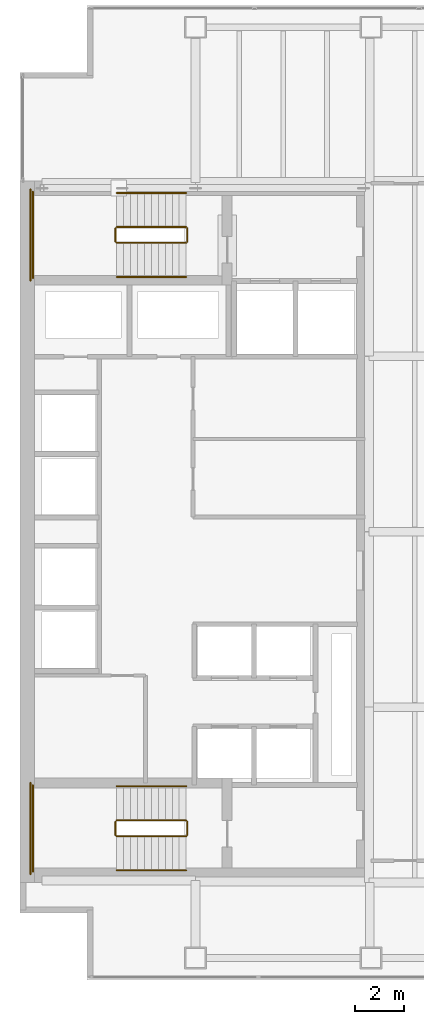
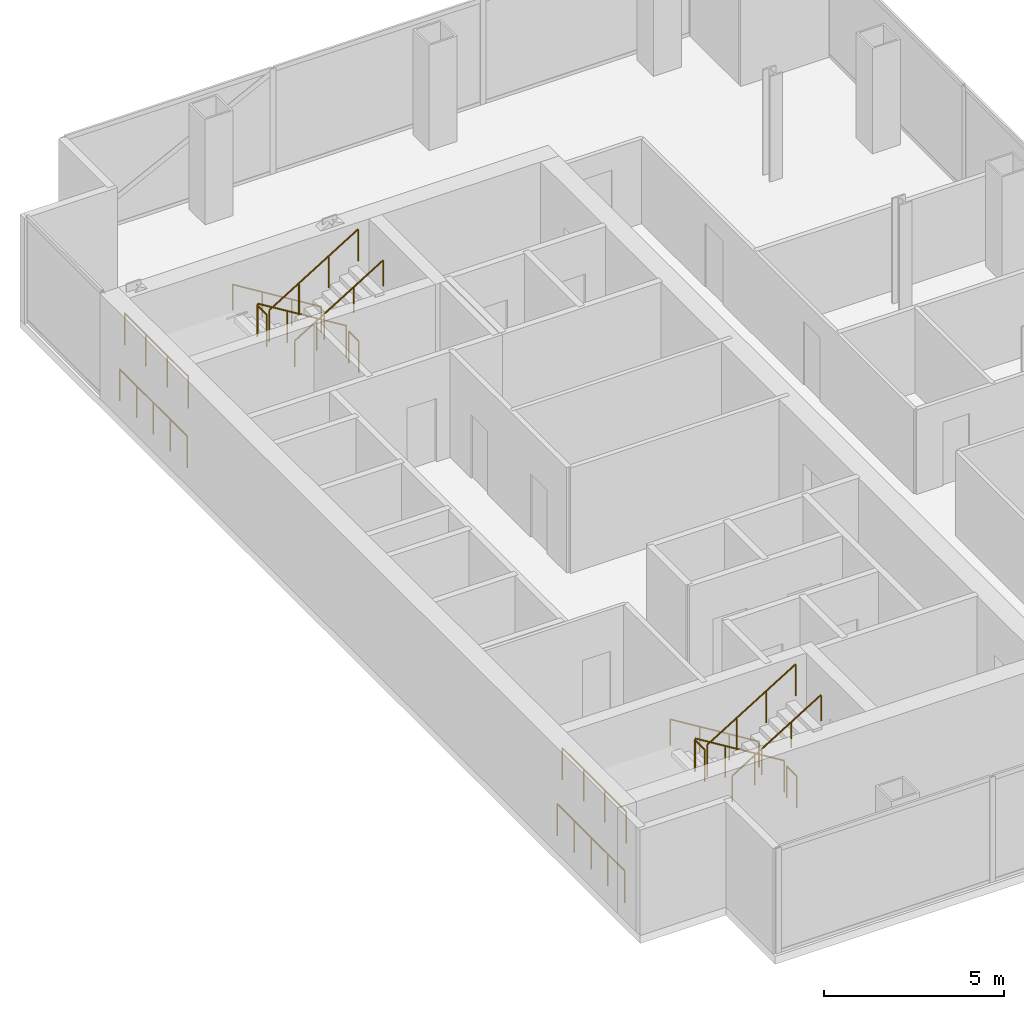
# One storey, part 23 of 23: 16 railings.
"""IFC4 building model written with IfcOpenShell, lengths in metres."""

from ifc_helpers import new_model, si_unit, direction, frame, origin, origin_2d, place, context, subcontext, project, spatial, circle, extrude, material, type_object, element, save


model = new_model("IFC4")

# Units and contexts
model_context = context("Model", 3, precision=1e-05, world=origin(), true_north=direction((0.0, 1.0)))
body_context = subcontext(model_context, "Body", "Model", "MODEL_VIEW")
ifc_project = project(units=[si_unit("LENGTHUNIT", "METRE"), si_unit("AREAUNIT", "SQUARE_METRE"), si_unit("VOLUMEUNIT", "CUBIC_METRE"), si_unit("PLANEANGLEUNIT", "RADIAN"), si_unit("MASSUNIT", "GRAM", prefix="KILO")], contexts=[model_context])

# Site, building, storey
site_placement = place(None, origin())
site = spatial("IfcSite", under=ifc_project, at=site_placement, CompositionType="ELEMENT")
building_placement = place(site_placement, origin())
building = spatial("IfcBuilding", under=site, at=building_placement, Name="Cobrela Telecom Tower", CompositionType="ELEMENT")
storey_placement = place(building_placement, frame((0.0, 0.0, 125.300048828125)))
storey = spatial("IfcBuildingStorey", under=building, at=storey_placement, Name="L31", CompositionType="ELEMENT", Elevation=125.300048828125)

# Railings
ifc_material = material(Name="Steel ASTM A36", Category="steel")
railing_type_1 = type_object("IfcRailingType", Name="RAIL-GUARD-1100", PredefinedType="GUARDRAIL", material=ifc_material)
railing_1_placement = place(storey_placement, frame((6.820068359375, 34.10009765625, 0.175048828125)))
element("IfcRailing", 1, at=railing_1_placement, inside=storey, type_object=railing_type_1, Name="L31 ST1 stair guard 1", PredefinedType="GUARDRAIL", context=body_context, shape_type="SweptSolid", body=[
    extrude(circle(Radius=0.02392578125, at=origin_2d()), frame((0.0, 0.0, 1.076171875), z_axis=(-0.852179220489, 0.0, 0.52325001306), x_axis=(0.0, -1.0, 0.0)), (0.0, 0.0, 1.0), 3.344482421875),
    extrude(circle(Radius=0.02099609375, at=origin_2d()), origin(), (0.0, 0.0, 1.0), 1.052001953125),
    extrude(circle(Radius=0.02099609375, at=origin_2d()), frame((-0.949951171875, 0.0, 0.583251953125)), (0.0, 0.0, 1.0), 1.052001953125),
    extrude(circle(Radius=0.02099609375, at=origin_2d()), frame((-1.900146484375, 0.0, 1.166748046875)), (0.0, 0.0, 1.0), 1.052001953125),
    extrude(circle(Radius=0.02099609375, at=origin_2d()), frame((-2.85009765625, 0.0, 1.75)), (0.0, 0.0, 1.0), 1.052001953125),
])
railing_2_placement = place(storey_placement, frame((3.919921875, 34.050048828125, 1.925048828125)))
element("IfcRailing", 2, at=railing_2_placement, inside=storey, type_object=railing_type_1, Name="L31 ST1 stair guard 2", PredefinedType="GUARDRAIL", context=body_context, shape_type="SweptSolid", body=[
    extrude(circle(Radius=0.02392578125, at=origin_2d()), frame((0.0, 0.0, 1.076171875), z_axis=(0.0, -1.0, 0.0), x_axis=(1.0, 0.0, 0.0)), (0.0, 0.0, 1.0), 0.550048828125),
    extrude(circle(Radius=0.02099609375, at=origin_2d()), origin(), (0.0, 0.0, 1.0), 1.052001953125),
    extrude(circle(Radius=0.02099609375, at=origin_2d()), frame((0.0, -0.550048828125, 0.0)), (0.0, 0.0, 1.0), 1.052001953125),
])
railing_3_placement = place(storey_placement, frame((0.530029296875, 35.550048828125, 1.925048828125)))
element("IfcRailing", 3, at=railing_3_placement, inside=storey, type_object=railing_type_1, Name="L31 ST1 stair guard 3", PredefinedType="GUARDRAIL", context=body_context, shape_type="SweptSolid", body=[
    extrude(circle(Radius=0.02392578125, at=origin_2d()), frame((0.0, 0.0, 1.076171875), z_axis=(0.0, -1.0, 0.0), x_axis=(1.0, 0.0, 0.0)), (0.0, 0.0, 1.0), 3.550048828125),
    extrude(circle(Radius=0.02099609375, at=origin_2d()), origin(), (0.0, 0.0, 1.0), 1.052001953125),
    extrude(circle(Radius=0.02099609375, at=origin_2d()), frame((0.0, -1.183349609375, 0.0)), (0.0, 0.0, 1.0), 1.052001953125),
    extrude(circle(Radius=0.02099609375, at=origin_2d()), frame((0.0, -2.36669921875, 0.0)), (0.0, 0.0, 1.0), 1.052001953125),
    extrude(circle(Radius=0.02099609375, at=origin_2d()), frame((0.0, -3.550048828125, 0.0)), (0.0, 0.0, 1.0), 1.052001953125),
])
railing_4_placement = place(storey_placement, frame((3.969970703125, 33.449951171875, 2.099853515625)))
element("IfcRailing", 4, at=railing_4_placement, inside=storey, type_object=railing_type_1, Name="L31 ST1 stair guard 4", PredefinedType="GUARDRAIL", context=body_context, shape_type="SweptSolid", body=[
    extrude(circle(Radius=0.02392578125, at=origin_2d()), frame((0.0, 0.0, 1.076171875), z_axis=(0.852179220489, 0.0, 0.52325001306), x_axis=(0.0, 1.0, 0.0)), (0.0, 0.0, 1.0), 3.344482421875),
    extrude(circle(Radius=0.02099609375, at=origin_2d()), origin(), (0.0, 0.0, 1.0), 1.052001953125),
    extrude(circle(Radius=0.02099609375, at=origin_2d()), frame((0.949951171875, 0.0, 0.583251953125)), (0.0, 0.0, 1.0), 1.052001953125),
    extrude(circle(Radius=0.02099609375, at=origin_2d()), frame((1.900146484375, 0.0, 1.166748046875)), (0.0, 0.0, 1.0), 1.052001953125),
    extrude(circle(Radius=0.02099609375, at=origin_2d()), frame((2.85009765625, 0.0, 1.75)), (0.0, 0.0, 1.0), 1.052001953125),
])
railing_5_placement = place(storey_placement, frame((6.8701171875, 34.050048828125, 0.0)))
element("IfcRailing", 5, at=railing_5_placement, inside=storey, type_object=railing_type_1, Name="L31 ST1 stair guard 5", PredefinedType="GUARDRAIL", context=body_context, shape_type="SweptSolid", body=[
    extrude(circle(Radius=0.02392578125, at=origin_2d()), frame((0.0, 0.0, 1.076171875), z_axis=(0.0, -1.0, 0.0), x_axis=(1.0, 0.0, 0.0)), (0.0, 0.0, 1.0), 0.550048828125),
    extrude(circle(Radius=0.02099609375, at=origin_2d()), origin(), (0.0, 0.0, 1.0), 1.052001953125),
    extrude(circle(Radius=0.02099609375, at=origin_2d()), frame((0.0, -0.550048828125, 0.0)), (0.0, 0.0, 1.0), 1.052001953125),
])
railing_6_placement = place(storey_placement, frame((0.429931640625, 35.64990234375, 0.0)))
element("IfcRailing", 6, at=railing_6_placement, inside=storey, type_object=railing_type_1, Name="L31 ST1 stair guard 6", PredefinedType="GUARDRAIL", context=body_context, shape_type="SweptSolid", body=[
    extrude(circle(Radius=0.02392578125, at=origin_2d()), frame((0.0, 0.0, 1.076171875), z_axis=(0.0, -1.0, 0.0), x_axis=(1.0, 0.0, 0.0)), (0.0, 0.0, 1.0), 3.75),
    extrude(circle(Radius=0.02099609375, at=origin_2d()), origin(), (0.0, 0.0, 1.0), 1.052001953125),
    extrude(circle(Radius=0.02099609375, at=origin_2d()), frame((0.0, -0.9375, 0.0)), (0.0, 0.0, 1.0), 1.052001953125),
    extrude(circle(Radius=0.02099609375, at=origin_2d()), frame((0.0, -1.875, 0.0)), (0.0, 0.0, 1.0), 1.052001953125),
    extrude(circle(Radius=0.02099609375, at=origin_2d()), frame((0.0, -2.8125, 0.0)), (0.0, 0.0, 1.0), 1.052001953125),
    extrude(circle(Radius=0.02099609375, at=origin_2d()), frame((0.0, -3.75, 0.0)), (0.0, 0.0, 1.0), 1.052001953125),
])
railing_7_placement = place(storey_placement, frame((6.820068359375, 9.75, 0.175048828125)))
element("IfcRailing", 7, at=railing_7_placement, inside=storey, type_object=railing_type_1, Name="L31 ST2 stair guard 1", PredefinedType="GUARDRAIL", context=body_context, shape_type="SweptSolid", body=[
    extrude(circle(Radius=0.02392578125, at=origin_2d()), frame((0.0, 0.0, 1.076171875), z_axis=(-0.852179220489, 0.0, 0.52325001306), x_axis=(0.0, -1.0, 0.0)), (0.0, 0.0, 1.0), 3.344482421875),
    extrude(circle(Radius=0.02099609375, at=origin_2d()), origin(), (0.0, 0.0, 1.0), 1.052001953125),
    extrude(circle(Radius=0.02099609375, at=origin_2d()), frame((-0.949951171875, 0.0, 0.583251953125)), (0.0, 0.0, 1.0), 1.052001953125),
    extrude(circle(Radius=0.02099609375, at=origin_2d()), frame((-1.900146484375, 0.0, 1.166748046875)), (0.0, 0.0, 1.0), 1.052001953125),
    extrude(circle(Radius=0.02099609375, at=origin_2d()), frame((-2.85009765625, 0.0, 1.75)), (0.0, 0.0, 1.0), 1.052001953125),
])
railing_8_placement = place(storey_placement, frame((3.919921875, 9.699951171875, 1.925048828125)))
element("IfcRailing", 8, at=railing_8_placement, inside=storey, type_object=railing_type_1, Name="L31 ST2 stair guard 2", PredefinedType="GUARDRAIL", context=body_context, shape_type="SweptSolid", body=[
    extrude(circle(Radius=0.02392578125, at=origin_2d()), frame((0.0, 0.0, 1.076171875), z_axis=(0.0, -1.0, 0.0), x_axis=(1.0, 0.0, 0.0)), (0.0, 0.0, 1.0), 0.550048828125),
    extrude(circle(Radius=0.02099609375, at=origin_2d()), origin(), (0.0, 0.0, 1.0), 1.052001953125),
    extrude(circle(Radius=0.02099609375, at=origin_2d()), frame((0.0, -0.550048828125, 0.0)), (0.0, 0.0, 1.0), 1.052001953125),
])
railing_9_placement = place(storey_placement, frame((0.530029296875, 11.199951171875, 1.925048828125)))
element("IfcRailing", 9, at=railing_9_placement, inside=storey, type_object=railing_type_1, Name="L31 ST2 stair guard 3", PredefinedType="GUARDRAIL", context=body_context, shape_type="SweptSolid", body=[
    extrude(circle(Radius=0.02392578125, at=origin_2d()), frame((0.0, 0.0, 1.076171875), z_axis=(0.0, -1.0, 0.0), x_axis=(1.0, 0.0, 0.0)), (0.0, 0.0, 1.0), 3.550048828125),
    extrude(circle(Radius=0.02099609375, at=origin_2d()), origin(), (0.0, 0.0, 1.0), 1.052001953125),
    extrude(circle(Radius=0.02099609375, at=origin_2d()), frame((0.0, -1.183349609375, 0.0)), (0.0, 0.0, 1.0), 1.052001953125),
    extrude(circle(Radius=0.02099609375, at=origin_2d()), frame((0.0, -2.36669921875, 0.0)), (0.0, 0.0, 1.0), 1.052001953125),
    extrude(circle(Radius=0.02099609375, at=origin_2d()), frame((0.0, -3.550048828125, 0.0)), (0.0, 0.0, 1.0), 1.052001953125),
])
railing_10_placement = place(storey_placement, frame((3.969970703125, 9.10009765625, 2.099853515625)))
element("IfcRailing", 10, at=railing_10_placement, inside=storey, type_object=railing_type_1, Name="L31 ST2 stair guard 4", PredefinedType="GUARDRAIL", context=body_context, shape_type="SweptSolid", body=[
    extrude(circle(Radius=0.02392578125, at=origin_2d()), frame((0.0, 0.0, 1.076171875), z_axis=(0.852179220489, 0.0, 0.52325001306), x_axis=(0.0, 1.0, 0.0)), (0.0, 0.0, 1.0), 3.344482421875),
    extrude(circle(Radius=0.02099609375, at=origin_2d()), origin(), (0.0, 0.0, 1.0), 1.052001953125),
    extrude(circle(Radius=0.02099609375, at=origin_2d()), frame((0.949951171875, 0.0, 0.583251953125)), (0.0, 0.0, 1.0), 1.052001953125),
    extrude(circle(Radius=0.02099609375, at=origin_2d()), frame((1.900146484375, 0.0, 1.166748046875)), (0.0, 0.0, 1.0), 1.052001953125),
    extrude(circle(Radius=0.02099609375, at=origin_2d()), frame((2.85009765625, 0.0, 1.75)), (0.0, 0.0, 1.0), 1.052001953125),
])
railing_11_placement = place(storey_placement, frame((6.8701171875, 9.699951171875, 0.0)))
element("IfcRailing", 11, at=railing_11_placement, inside=storey, type_object=railing_type_1, Name="L31 ST2 stair guard 5", PredefinedType="GUARDRAIL", context=body_context, shape_type="SweptSolid", body=[
    extrude(circle(Radius=0.02392578125, at=origin_2d()), frame((0.0, 0.0, 1.076171875), z_axis=(0.0, -1.0, 0.0), x_axis=(1.0, 0.0, 0.0)), (0.0, 0.0, 1.0), 0.550048828125),
    extrude(circle(Radius=0.02099609375, at=origin_2d()), origin(), (0.0, 0.0, 1.0), 1.052001953125),
    extrude(circle(Radius=0.02099609375, at=origin_2d()), frame((0.0, -0.550048828125, 0.0)), (0.0, 0.0, 1.0), 1.052001953125),
])
railing_12_placement = place(storey_placement, frame((0.429931640625, 11.300048828125, 0.0)))
element("IfcRailing", 12, at=railing_12_placement, inside=storey, type_object=railing_type_1, Name="L31 ST2 stair guard 6", PredefinedType="GUARDRAIL", context=body_context, shape_type="SweptSolid", body=[
    extrude(circle(Radius=0.02392578125, at=origin_2d()), frame((0.0, 0.0, 1.076171875), z_axis=(0.0, -1.0, 0.0), x_axis=(1.0, 0.0, 0.0)), (0.0, 0.0, 1.0), 3.75),
    extrude(circle(Radius=0.02099609375, at=origin_2d()), origin(), (0.0, 0.0, 1.0), 1.052001953125),
    extrude(circle(Radius=0.02099609375, at=origin_2d()), frame((0.0, -0.9375, 0.0)), (0.0, 0.0, 1.0), 1.052001953125),
    extrude(circle(Radius=0.02099609375, at=origin_2d()), frame((0.0, -1.875, 0.0)), (0.0, 0.0, 1.0), 1.052001953125),
    extrude(circle(Radius=0.02099609375, at=origin_2d()), frame((0.0, -2.8125, 0.0)), (0.0, 0.0, 1.0), 1.052001953125),
    extrude(circle(Radius=0.02099609375, at=origin_2d()), frame((0.0, -3.75, 0.0)), (0.0, 0.0, 1.0), 1.052001953125),
])
railing_type_2 = type_object("IfcRailingType", Name="RAIL-HAND-920", PredefinedType="HANDRAIL", material=ifc_material)
railing_13_placement = place(storey_placement, frame((6.820068359375, 35.5, 0.175048828125)))
element("IfcRailing", 13, at=railing_13_placement, inside=storey, type_object=railing_type_2, Name="L31 ST1 stair handrail 1", PredefinedType="HANDRAIL", context=body_context, shape_type="SweptSolid", body=[
    extrude(circle(Radius=0.02392578125, at=origin_2d()), frame((0.0, 0.0, 0.8759765625), z_axis=(-0.852179220489, 0.0, 0.52325001306), x_axis=(0.0, -1.0, 0.0)), (0.0, 0.0, 1.0), 3.344482421875),
    extrude(circle(Radius=0.02099609375, at=origin_2d()), origin(), (0.0, 0.0, 1.0), 0.851806640625),
    extrude(circle(Radius=0.02099609375, at=origin_2d()), frame((-0.949951171875, 0.0, 0.583251953125)), (0.0, 0.0, 1.0), 0.851806640625),
    extrude(circle(Radius=0.02099609375, at=origin_2d()), frame((-1.900146484375, 0.0, 1.166748046875)), (0.0, 0.0, 1.0), 0.851806640625),
    extrude(circle(Radius=0.02099609375, at=origin_2d()), frame((-2.85009765625, 0.0, 1.75)), (0.0, 0.0, 1.0), 0.851806640625),
])
railing_14_placement = place(storey_placement, frame((3.969970703125, 32.050048828125, 2.099853515625)))
element("IfcRailing", 14, at=railing_14_placement, inside=storey, type_object=railing_type_2, Name="L31 ST1 stair handrail 2", PredefinedType="HANDRAIL", context=body_context, shape_type="SweptSolid", body=[
    extrude(circle(Radius=0.02392578125, at=origin_2d()), frame((0.0, 0.0, 0.8759765625), z_axis=(0.852179220489, 0.0, 0.52325001306), x_axis=(0.0, 1.0, 0.0)), (0.0, 0.0, 1.0), 3.344482421875),
    extrude(circle(Radius=0.02099609375, at=origin_2d()), origin(), (0.0, 0.0, 1.0), 0.851806640625),
    extrude(circle(Radius=0.02099609375, at=origin_2d()), frame((0.949951171875, 0.0, 0.583251953125)), (0.0, 0.0, 1.0), 0.851806640625),
    extrude(circle(Radius=0.02099609375, at=origin_2d()), frame((1.900146484375, 0.0, 1.166748046875)), (0.0, 0.0, 1.0), 0.851806640625),
    extrude(circle(Radius=0.02099609375, at=origin_2d()), frame((2.85009765625, 0.0, 1.75)), (0.0, 0.0, 1.0), 0.851806640625),
])
railing_15_placement = place(storey_placement, frame((6.820068359375, 11.14990234375, 0.175048828125)))
element("IfcRailing", 15, at=railing_15_placement, inside=storey, type_object=railing_type_2, Name="L31 ST2 stair handrail 1", PredefinedType="HANDRAIL", context=body_context, shape_type="SweptSolid", body=[
    extrude(circle(Radius=0.02392578125, at=origin_2d()), frame((0.0, 0.0, 0.8759765625), z_axis=(-0.852179220489, 0.0, 0.52325001306), x_axis=(0.0, -1.0, 0.0)), (0.0, 0.0, 1.0), 3.344482421875),
    extrude(circle(Radius=0.02099609375, at=origin_2d()), origin(), (0.0, 0.0, 1.0), 0.851806640625),
    extrude(circle(Radius=0.02099609375, at=origin_2d()), frame((-0.949951171875, 0.0, 0.583251953125)), (0.0, 0.0, 1.0), 0.851806640625),
    extrude(circle(Radius=0.02099609375, at=origin_2d()), frame((-1.900146484375, 0.0, 1.166748046875)), (0.0, 0.0, 1.0), 0.851806640625),
    extrude(circle(Radius=0.02099609375, at=origin_2d()), frame((-2.85009765625, 0.0, 1.75)), (0.0, 0.0, 1.0), 0.851806640625),
])
railing_16_placement = place(storey_placement, frame((3.969970703125, 7.699951171875, 2.099853515625)))
element("IfcRailing", 16, at=railing_16_placement, inside=storey, type_object=railing_type_2, Name="L31 ST2 stair handrail 2", PredefinedType="HANDRAIL", context=body_context, shape_type="SweptSolid", body=[
    extrude(circle(Radius=0.02392578125, at=origin_2d()), frame((0.0, 0.0, 0.8759765625), z_axis=(0.852179220489, 0.0, 0.52325001306), x_axis=(0.0, 1.0, 0.0)), (0.0, 0.0, 1.0), 3.344482421875),
    extrude(circle(Radius=0.02099609375, at=origin_2d()), origin(), (0.0, 0.0, 1.0), 0.851806640625),
    extrude(circle(Radius=0.02099609375, at=origin_2d()), frame((0.949951171875, 0.0, 0.583251953125)), (0.0, 0.0, 1.0), 0.851806640625),
    extrude(circle(Radius=0.02099609375, at=origin_2d()), frame((1.900146484375, 0.0, 1.166748046875)), (0.0, 0.0, 1.0), 0.851806640625),
    extrude(circle(Radius=0.02099609375, at=origin_2d()), frame((2.85009765625, 0.0, 1.75)), (0.0, 0.0, 1.0), 0.851806640625),
])

save(model, "model.ifc")
